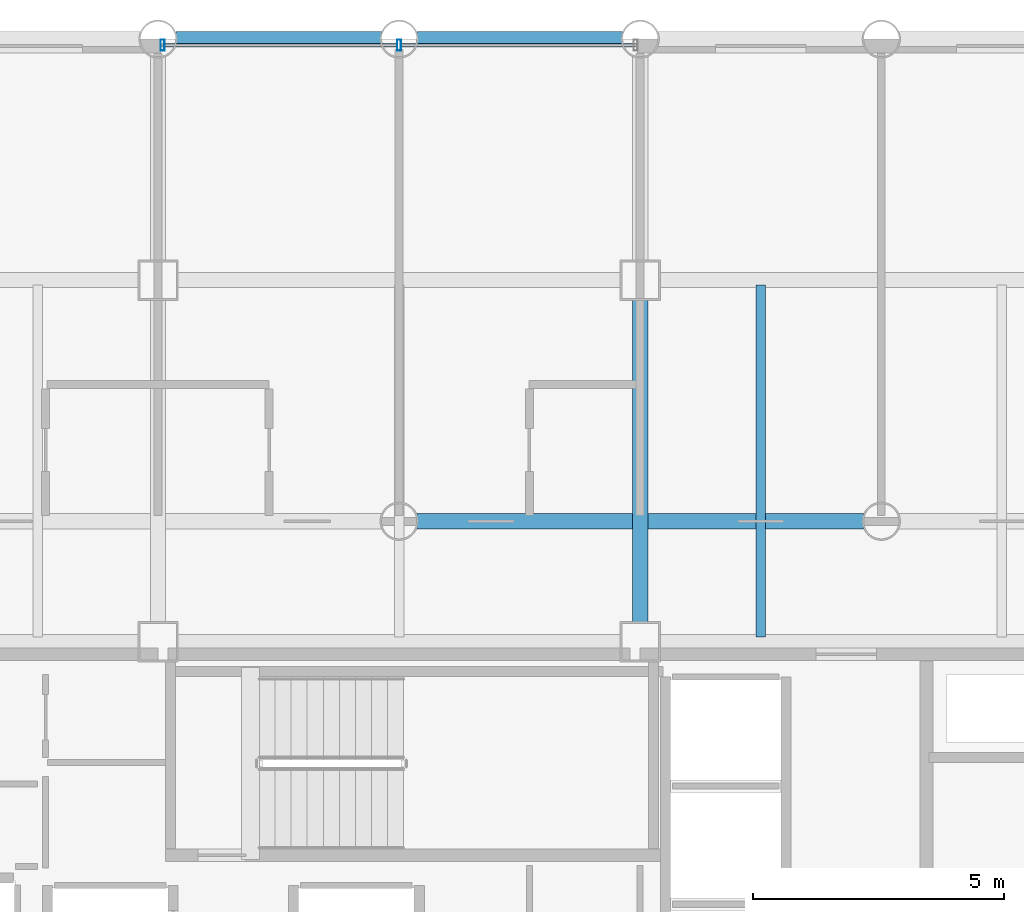
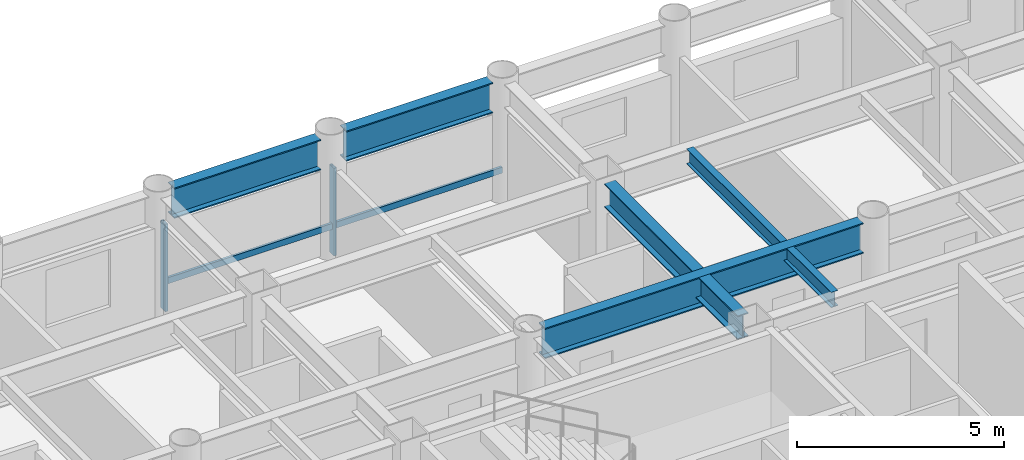
# One storey, part 11 of 21: 5 beams, 4 members, 1 element without a shape of its own.
"""IFC4 building model written with IfcOpenShell, lengths in metres."""

from ifc_helpers import new_model, si_unit, direction, frame, origin, origin_2d, place, context, subcontext, project, spatial, hollow_rectangle, i_section, extrude, material, layer, layer_set, material_profile, profile_set, type_object, element, aggregate, save


model = new_model("IFC4")

# Units and contexts
model_context = context("Model", 3, precision=1e-05, world=origin(), true_north=direction((0.0, 1.0)))
body_context = subcontext(model_context, "Body", "Model", "MODEL_VIEW")
ifc_project = project(units=[si_unit("LENGTHUNIT", "METRE"), si_unit("AREAUNIT", "SQUARE_METRE"), si_unit("VOLUMEUNIT", "CUBIC_METRE"), si_unit("PLANEANGLEUNIT", "RADIAN"), si_unit("MASSUNIT", "GRAM", prefix="KILO")], contexts=[model_context])

# Site, building, storey
site_placement = place(None, origin())
site = spatial("IfcSite", under=ifc_project, at=site_placement, CompositionType="ELEMENT")
building_placement = place(site_placement, origin())
building = spatial("IfcBuilding", under=site, at=building_placement, Name="Kallvorn Hotel Tower", CompositionType="ELEMENT")
storey_placement = place(building_placement, frame((0.0, 0.0, 81.800048828125)))
storey = spatial("IfcBuildingStorey", under=building, at=storey_placement, Name="L19", CompositionType="ELEMENT", Elevation=81.800048828125)

# Beams
ifc_material_1 = material(Name="Structural steel S355JR", Category="steel")
ifc_material_profile_1 = material_profile(ifc_material_1, i_section(OverallWidth=0.300048828125, OverallDepth=0.699951171875, WebThickness=0.01708984375, FlangeThickness=0.031982421875, at=origin_2d()), Name="HE 700 B")
ifc_profile_set_1 = profile_set([ifc_material_profile_1], Name="Structural steel S355JR")
beam_type_1 = type_object("IfcBeamType", Name="BM_HE700B", PredefinedType="BEAM", material=ifc_profile_set_1)
beam_1_placement = place(storey_placement, frame((4.800048828125, 7.574951171875, 3.169921875), z_axis=(0.0, 1.0, 0.0), x_axis=(-1.0, 0.0, 0.0)))
element("IfcBeam", 1, at=beam_1_placement, inside=storey, type_object=beam_type_1, Name="L20 Primary Y-Girder 116", PredefinedType="BEAM", context=body_context, shape_type="SweptSolid", body=[
    extrude(i_section(OverallWidth=0.300048828125, OverallDepth=0.699951171875, WebThickness=0.01708984375, FlangeThickness=0.031982421875, at=origin_2d()), origin(), (0.0, 0.0, 1.0), 6.449951171875),
])
ifc_material_2 = material(Name="Structural steel S355JR", Category="steel")
ifc_material_profile_2 = material_profile(ifc_material_2, i_section(OverallWidth=0.300048828125, OverallDepth=0.89990234375, WebThickness=0.0185546875, FlangeThickness=0.034912109375, at=origin_2d()), Name="HE 900 B")
ifc_profile_set_2 = profile_set([ifc_material_profile_2], Name="Structural steel S355JR")
beam_type_2 = type_object("IfcBeamType", Name="BM_HE900B", PredefinedType="BEAM", material=ifc_profile_set_2)
beam_2_placement = place(storey_placement, frame((0.35595703125, 9.60009765625, 3.070068359375), z_axis=(1.0, 0.0, 0.0), x_axis=(0.0, 1.0, 0.0)))
element("IfcBeam", 2, at=beam_2_placement, inside=storey, type_object=beam_type_2, Name="L20 Primary X-Girder 46", PredefinedType="BEAM", context=body_context, shape_type="SweptSolid", body=[
    extrude(i_section(OverallWidth=0.300048828125, OverallDepth=0.89990234375, WebThickness=0.0185546875, FlangeThickness=0.034912109375, at=origin_2d()), origin(), (0.0, 0.0, 1.0), 8.887939453125),
])
for number, where, z_axis, x_axis, name in (
    (3, (-4.444091796875, 19.199951171875, 3.070068359375), (1.0, 0.0, 0.0), (0.0, 1.0, 0.0), "L20 Primary X-Girder 66"),
    (4, (0.35595703125, 19.199951171875, 3.070068359375), (1.0, 0.0, 0.0), (0.0, 1.0, 0.0), "L20 Primary X-Girder 67"),
):
    element("IfcBeam", number, at=place(storey_placement, frame(where, z_axis=z_axis, x_axis=x_axis)), inside=storey, type_object=beam_type_2, Name=name, PredefinedType="BEAM", context=body_context, shape_type="SweptSolid", body=[
        extrude(i_section(OverallWidth=0.300048828125, OverallDepth=0.89990234375, WebThickness=0.0185546875, FlangeThickness=0.034912109375, at=origin_2d()), origin(), (0.0, 0.0, 1.0), 4.088134765625),
    ])
ifc_material_3 = material(Name="Structural steel S355JR", Category="steel")
ifc_material_profile_3 = material_profile(ifc_material_3, i_section(OverallWidth=0.18994140625, OverallDepth=0.449951171875, WebThickness=0.009521484375, FlangeThickness=0.0146484375, at=origin_2d()), Name="IPE 450")
ifc_profile_set_3 = profile_set([ifc_material_profile_3], Name="Structural steel S355JR")
beam_type_3 = type_object("IfcBeamType", Name="BM_IPE450", PredefinedType="JOIST", material=ifc_profile_set_3)
beam_3_placement = place(storey_placement, frame((7.199951171875, 7.300048828125, 3.294921875), z_axis=(0.0, 1.0, 0.0), x_axis=(-1.0, 0.0, 0.0)))
element("IfcBeam", 5, at=beam_3_placement, inside=storey, type_object=beam_type_3, Name="L20 Secondary Composite Joist 203", PredefinedType="JOIST", context=body_context, shape_type="SweptSolid", body=[
    extrude(i_section(OverallWidth=0.18994140625, OverallDepth=0.449951171875, WebThickness=0.009521484375, FlangeThickness=0.0146484375, at=origin_2d()), origin(), (0.0, 0.0, 1.0), 7.0),
])

# Curtain wall, members
ifc_material_4 = material(Name="Thermally broken black-anodised aluminium AA 6063-T6", Category="aluminium")
ifc_layer = layer(ifc_material_4, 0.199951171875)
ifc_layer_set = layer_set([ifc_layer], Name="CW_SYS_3_HOTEL_LOW")
curtain_wall_type = type_object("IfcCurtainWallType", Name="CW_SYS_3_HOTEL_LOW", PredefinedType="USERDEFINED", material=ifc_layer_set)
curtain_wall_placement = place(storey_placement, origin())
curtain_wall = element("IfcCurtainWall", 6, at=curtain_wall_placement, inside=storey, type_object=curtain_wall_type, Name="L19 Dark-Glass Curtain Wall CW-L19-NC", ObjectType="UNITISED CURTAIN WALL", PredefinedType="USERDEFINED")
ifc_material_5 = material(Name="Thermally broken black-anodised aluminium AA 6063-T6", Category="aluminium")
ifc_material_profile_4 = material_profile(ifc_material_5, hollow_rectangle(XDim=0.080078125, YDim=0.219970703125, WallThickness=0.0048828125, at=origin_2d()), Name="MUL 220x80")
ifc_profile_set_4 = profile_set([ifc_material_profile_4], Name="Thermally broken black-anodised aluminium AA 6063-T6")
member_type_1 = type_object("IfcMemberType", Name="CW_MULLION_220x80", PredefinedType="MULLION", material=ifc_profile_set_4)
member_1_placement = place(storey_placement, frame((-4.7099609375, 19.080078125, 0.02001953125), z_axis=(0.0, 0.0, 1.0), x_axis=(1.0, 0.0, 0.0)))
member_1 = element("IfcMember", 7, at=member_1_placement, type_object=member_type_1, Name="CW-L19-NC Mullion 00", PredefinedType="MULLION", context=body_context, shape_type="SweptSolid", body=[
    extrude(hollow_rectangle(XDim=0.080078125, YDim=0.219970703125, WallThickness=0.0048828125, at=origin_2d()), origin(), (0.0, 0.0, 1.0), 2.579833984375),
])
member_2_placement = place(storey_placement, frame((0.0, 19.080078125, 0.02001953125), z_axis=(0.0, 0.0, 1.0), x_axis=(1.0, 0.0, 0.0)))
member_2 = element("IfcMember", 8, at=member_2_placement, type_object=member_type_1, Name="CW-L19-NC Mullion 01", PredefinedType="MULLION", context=body_context, shape_type="SweptSolid", body=[
    extrude(hollow_rectangle(XDim=0.080078125, YDim=0.219970703125, WallThickness=0.0048828125, at=origin_2d()), origin(), (0.0, 0.0, 1.0), 2.579833984375),
])
ifc_material_6 = material(Name="Thermally broken black-anodised aluminium AA 6063-T6", Category="aluminium")
ifc_material_profile_5 = material_profile(ifc_material_6, hollow_rectangle(XDim=0.070068359375, YDim=0.179931640625, WallThickness=0.00390625, at=origin_2d()), Name="TRN 180x70")
ifc_profile_set_5 = profile_set([ifc_material_profile_5], Name="Thermally broken black-anodised aluminium AA 6063-T6")
member_type_2 = type_object("IfcMemberType", Name="CW_TRANSOM_180x70", PredefinedType="USERDEFINED", material=ifc_profile_set_5)
member_3_placement = place(storey_placement, frame((-4.7099609375, 19.080078125, 0.849853515625), z_axis=(1.0, 0.0, 0.0), x_axis=(0.0, 1.0, 0.0)))
member_3 = element("IfcMember", 9, at=member_3_placement, type_object=member_type_2, Name="CW-L19-NC Transom 00M", ObjectType="TRANSOM", PredefinedType="USERDEFINED", context=body_context, shape_type="SweptSolid", body=[
    extrude(hollow_rectangle(XDim=0.070068359375, YDim=0.179931640625, WallThickness=0.00390625, at=origin_2d()), origin(), (0.0, 0.0, 1.0), 4.669921875),
])
member_4_placement = place(storey_placement, frame((0.0400390625, 19.080078125, 0.849853515625), z_axis=(1.0, 0.0, 0.0), x_axis=(0.0, 1.0, 0.0)))
member_4 = element("IfcMember", 10, at=member_4_placement, type_object=member_type_2, Name="CW-L19-NC Transom 01M", ObjectType="TRANSOM", PredefinedType="USERDEFINED", context=body_context, shape_type="SweptSolid", body=[
    extrude(hollow_rectangle(XDim=0.070068359375, YDim=0.179931640625, WallThickness=0.00390625, at=origin_2d()), origin(), (0.0, 0.0, 1.0), 4.669921875),
])
aggregate(curtain_wall, [member_1, member_2, member_3, member_4])

save(model, "model.ifc")
